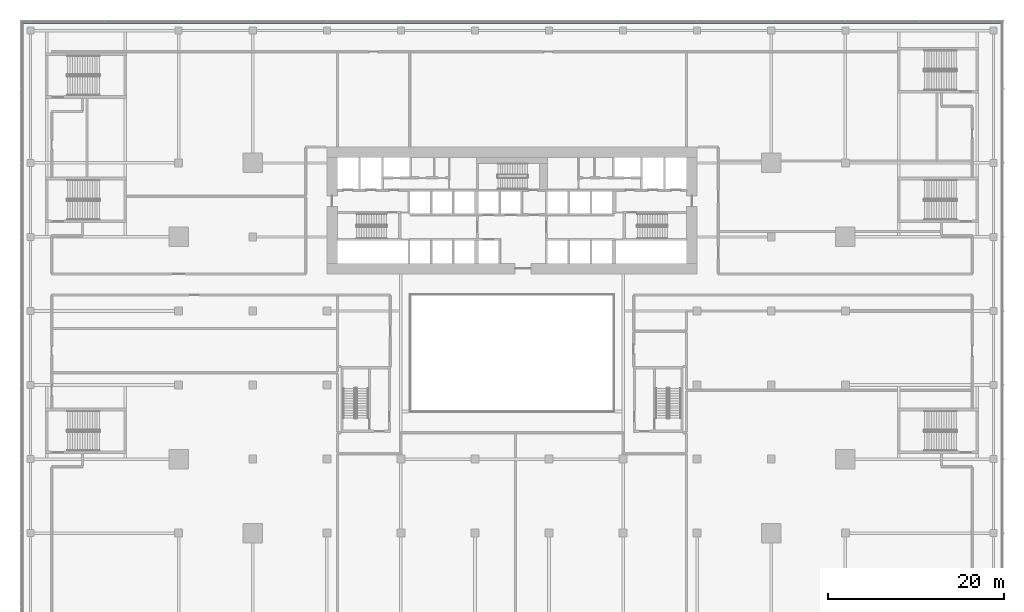
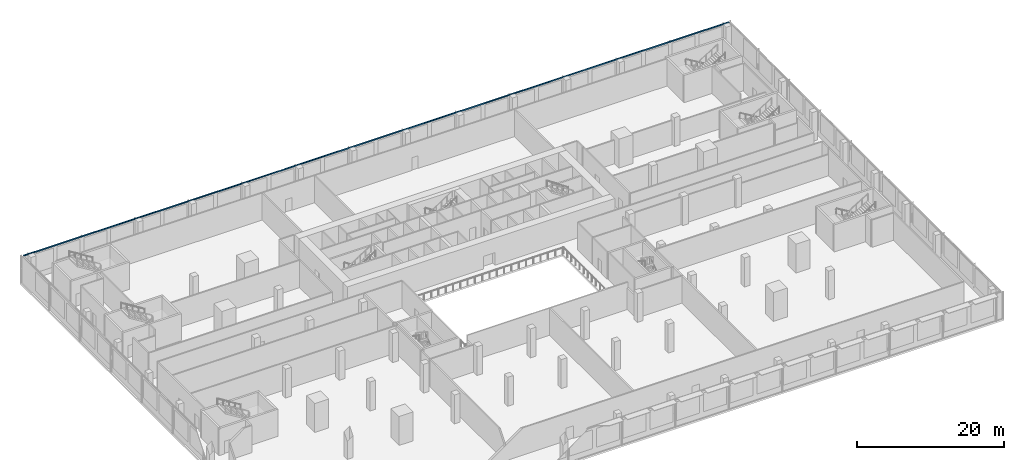
# One storey, part 19 of 39: 1 member, 1 element without a shape of its own.
"""IFC4 building model written with IfcOpenShell, lengths in metres."""

from ifc_helpers import new_model, si_unit, direction, frame, origin, origin_2d, place, context, subcontext, project, spatial, rectangle, extrude, material, material_profile, profile_set, type_object, element, aggregate, save


model = new_model("IFC4")

# Units and contexts
model_context = context("Model", 3, precision=1e-05, world=origin(), true_north=direction((0.0, 1.0)))
body_context = subcontext(model_context, "Body", "Model", "MODEL_VIEW")
ifc_project = project(units=[si_unit("LENGTHUNIT", "METRE"), si_unit("AREAUNIT", "SQUARE_METRE"), si_unit("VOLUMEUNIT", "CUBIC_METRE"), si_unit("PLANEANGLEUNIT", "RADIAN"), si_unit("MASSUNIT", "GRAM", prefix="KILO")], contexts=[model_context])

# Site, building, storey
site_placement = place(None, origin())
site = spatial("IfcSite", under=ifc_project, at=site_placement, CompositionType="ELEMENT")
building_placement = place(site_placement, origin())
building = spatial("IfcBuilding", under=site, at=building_placement, Name="Saffron Gate Tower", CompositionType="ELEMENT")
storey_placement = place(building_placement, frame((0.0, 0.0, 14.39990234375)))
storey = spatial("IfcBuildingStorey", under=building, at=storey_placement, Name="L02", CompositionType="ELEMENT", Elevation=14.39990234375)

# Curtain wall, member
ifc_material = material(Name="Aluminium, bronze anodised", Category="aluminium")
curtain_wall_type = type_object("IfcCurtainWallType", Name="CWS5 curtain wall podium ring base", PredefinedType="NOTDEFINED", material=ifc_material)
curtain_wall_placement = place(storey_placement, origin())
curtain_wall = element("IfcCurtainWall", 1, at=curtain_wall_placement, inside=storey, type_object=curtain_wall_type, Name="CWS5 run 3", PredefinedType="NOTDEFINED")
ifc_material_profile = material_profile(ifc_material, rectangle(XDim=0.1201171875, YDim=0.1201171875, at=origin_2d()))
ifc_profile_set = profile_set([ifc_material_profile], Name="Aluminium, bronze anodised")
member_type = type_object("IfcMemberType", Name="CWS5 head transom", PredefinedType="USERDEFINED", material=ifc_profile_set)
member_placement = place(storey_placement, frame((142.991943359375, 89.7119140625, 4.440185546875), z_axis=(-1.0, 0.0, 0.0), x_axis=(0.0, -1.0, 0.0)))
member = element("IfcMember", 2, at=member_placement, type_object=member_type, Name="CWS5 head transom", ObjectType="TRANSOM", PredefinedType="USERDEFINED", context=body_context, shape_type="SweptSolid", body=[
    extrude(rectangle(XDim=0.1201171875, YDim=0.1201171875, at=origin_2d()), origin(), (0.0, 0.0, 1.0), 110.783935546875),
])
aggregate(curtain_wall, [member])

save(model, "model.ifc")
